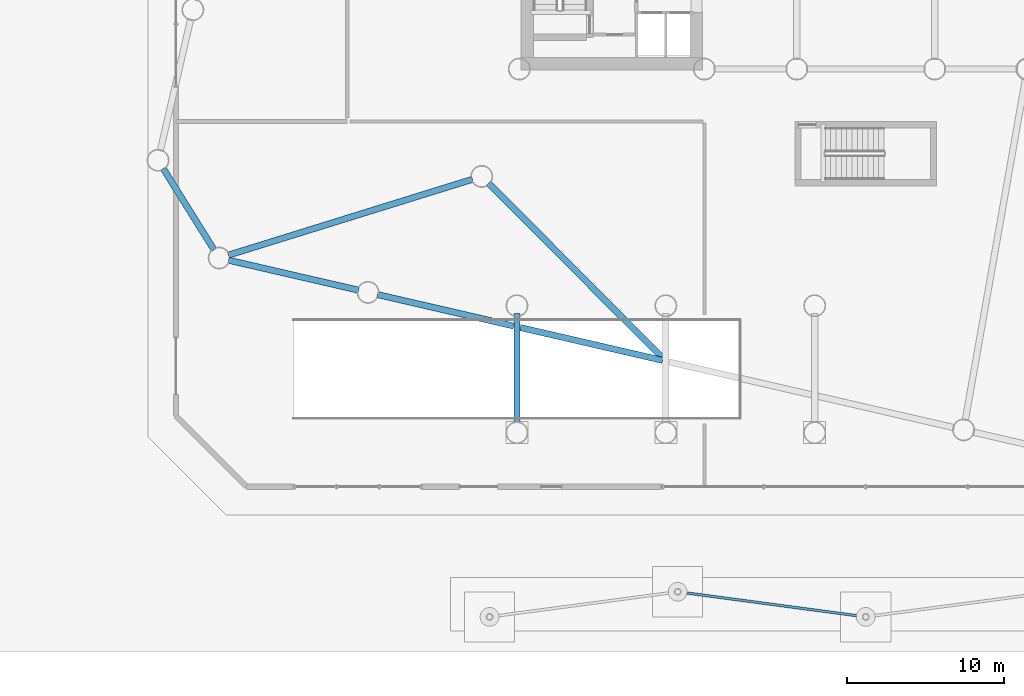
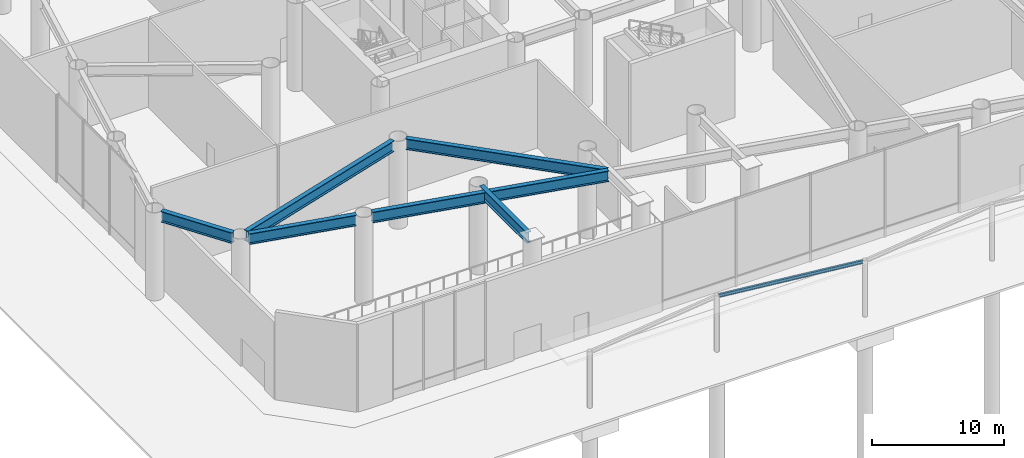
# One storey, part 8 of 28: 8 beams.
"""IFC4 building model written with IfcOpenShell, lengths in metres."""

from ifc_helpers import new_model, si_unit, direction, frame, origin, origin_2d, place, context, subcontext, project, spatial, i_section, extrude, material, material_profile, profile_set, type_object, element, save


model = new_model("IFC4")

# Units and contexts
model_context = context("Model", 3, precision=1e-05, world=origin(), true_north=direction((0.0, 1.0)))
body_context = subcontext(model_context, "Body", "Model", "MODEL_VIEW")
ifc_project = project(units=[si_unit("LENGTHUNIT", "METRE"), si_unit("AREAUNIT", "SQUARE_METRE"), si_unit("VOLUMEUNIT", "CUBIC_METRE"), si_unit("PLANEANGLEUNIT", "RADIAN"), si_unit("MASSUNIT", "GRAM", prefix="KILO")], contexts=[model_context])

# Site, building, storey
site_placement = place(None, origin())
site = spatial("IfcSite", under=ifc_project, at=site_placement, CompositionType="ELEMENT")
building_placement = place(site_placement, origin())
building = spatial("IfcBuilding", under=site, at=building_placement, Name="Tavrogorsk Clinical Tower", CompositionType="ELEMENT")
storey_placement = place(building_placement, origin())
storey = spatial("IfcBuildingStorey", under=building, at=storey_placement, Name="L00", CompositionType="ELEMENT", Elevation=0.0)

# Beams
ifc_material_1 = material(Name="Structural steel S355", Category="steel")
ifc_material_profile_1 = material_profile(ifc_material_1, i_section(OverallWidth=0.1650390625, OverallDepth=0.300048828125, WebThickness=0.008544921875, FlangeThickness=0.012939453125, at=origin_2d()), Name="B-300x165x8.5x13")
ifc_profile_set_1 = profile_set([ifc_material_profile_1], Name="Structural steel S355")
beam_type_1 = type_object("IfcBeamType", Name="CanopyBeam_B300", PredefinedType="BEAM", material=ifc_profile_set_1)
beam_1_placement = place(storey_placement, frame((-11.84130859375, -39.72119140625, 5.050048828125), z_axis=(0.991228624317, -0.132158292718, 0.0), x_axis=(0.132158292718, 0.991228624317, 0.0)))
element("IfcBeam", 1, at=beam_1_placement, inside=storey, type_object=beam_type_1, Name="Ambulance Canopy Beam 2", PredefinedType="BEAM", context=body_context, shape_type="SweptSolid", body=[
    extrude(i_section(OverallWidth=0.1650390625, OverallDepth=0.300048828125, WebThickness=0.008544921875, FlangeThickness=0.012939453125, at=origin_2d()), origin(), (0.0, 0.0, 1.0), 11.785888671875),
])
ifc_material_2 = material(Name="Structural steel S440", Category="steel")
ifc_material_profile_2 = material_profile(ifc_material_2, i_section(OverallWidth=0.39990234375, OverallDepth=1.0, WebThickness=0.028076171875, FlangeThickness=0.044921875, at=origin_2d()), Name="DK-1000x400x28x45")
ifc_profile_set_2 = profile_set([ifc_material_profile_2], Name="Structural steel S440")
beam_type_2 = type_object("IfcBeamType", Name="TransferGirder_DK1000", PredefinedType="USERDEFINED", material=ifc_profile_set_2)
beam_2_placement = place(storey_placement, frame((-22.25390625, -29.070068359375, 7.60009765625), z_axis=(0.0, 1.0, 0.0), x_axis=(-1.0, 0.0, 0.0)))
element("IfcBeam", 2, at=beam_2_placement, inside=storey, type_object=beam_type_2, Name="L00 Ramp Portal Transfer Girder S3", ObjectType="GIRDER", PredefinedType="USERDEFINED", context=body_context, shape_type="SweptSolid", body=[
    extrude(i_section(OverallWidth=0.39990234375, OverallDepth=1.0, WebThickness=0.028076171875, FlangeThickness=0.044921875, at=origin_2d()), origin(), (0.0, 0.0, 1.0), 7.14013671875),
])
beam_3_placement = place(storey_placement, frame((-40.647216796875, -18.54541015625, 7.60009765625), z_axis=(0.974368945516, -0.224955902375, 0.0), x_axis=(0.224955902375, 0.974368945516, 0.0)))
element("IfcBeam", 3, at=beam_3_placement, inside=storey, type_object=beam_type_2, Name="L00 Perimeter Stilt Ring Girder S1-S2", ObjectType="GIRDER", PredefinedType="USERDEFINED", context=body_context, shape_type="SweptSolid", body=[
    extrude(i_section(OverallWidth=0.39990234375, OverallDepth=1.0, WebThickness=0.028076171875, FlangeThickness=0.044921875, at=origin_2d()), origin(), (0.0, 0.0, 1.0), 8.508544921875),
])
beam_4_placement = place(storey_placement, frame((-31.1484375, -20.73828125, 7.60009765625), z_axis=(0.974367199032, -0.224963466923, 0.0), x_axis=(0.224963466923, 0.974367199032, 0.0)))
element("IfcBeam", 4, at=beam_4_placement, inside=storey, type_object=beam_type_2, Name="L00 Perimeter Stilt Ring Girder S2-S3", ObjectType="GIRDER", PredefinedType="USERDEFINED", context=body_context, shape_type="SweptSolid", body=[
    extrude(i_section(OverallWidth=0.39990234375, OverallDepth=1.0, WebThickness=0.028076171875, FlangeThickness=0.044921875, at=origin_2d()), origin(), (0.0, 0.0, 1.0), 8.91845703125),
])
beam_5_placement = place(storey_placement, frame((-22.04931640625, -22.839111328125, 7.60009765625), z_axis=(0.974372666845, -0.224939783286, 0.0), x_axis=(0.224939783286, 0.974372666845, 0.0)))
element("IfcBeam", 5, at=beam_5_placement, inside=storey, type_object=beam_type_2, Name="L00 Perimeter Stilt Ring Girder S3-S4", ObjectType="GIRDER", PredefinedType="USERDEFINED", context=body_context, shape_type="SweptSolid", body=[
    extrude(i_section(OverallWidth=0.39990234375, OverallDepth=1.0, WebThickness=0.028076171875, FlangeThickness=0.044921875, at=origin_2d()), origin(), (0.0, 0.0, 1.0), 9.32861328125),
])
beam_6_placement = place(storey_placement, frame((-44.81982421875, -12.6953125, 7.60009765625), z_axis=(0.529937918906, -0.848036439138, 0.0), x_axis=(0.848036439138, 0.529937918906, 0.0)))
element("IfcBeam", 6, at=beam_6_placement, inside=storey, type_object=beam_type_2, Name="L00 Perimeter Stilt Ring Girder W5-S1", ObjectType="GIRDER", PredefinedType="USERDEFINED", context=body_context, shape_type="SweptSolid", body=[
    extrude(i_section(OverallWidth=0.39990234375, OverallDepth=1.0, WebThickness=0.028076171875, FlangeThickness=0.044921875, at=origin_2d()), origin(), (0.0, 0.0, 1.0), 6.114013671875),
])
beam_7_placement = place(storey_placement, frame((-25.092041015625, -13.384033203125, 7.60009765625), z_axis=(-0.954947548329, -0.296774628196, 0.0), x_axis=(0.296774628196, -0.954947548329, 0.0)))
element("IfcBeam", 7, at=beam_7_placement, inside=storey, type_object=beam_type_2, Name="L00 Radial Podium Girder S1", ObjectType="GIRDER", PredefinedType="USERDEFINED", context=body_context, shape_type="SweptSolid", body=[
    extrude(i_section(OverallWidth=0.39990234375, OverallDepth=1.0, WebThickness=0.028076171875, FlangeThickness=0.044921875, at=origin_2d()), origin(), (0.0, 0.0, 1.0), 16.301513671875),
])
beam_8_placement = place(storey_placement, frame((-24.062255859375, -13.63916015625, 7.60009765625), z_axis=(0.705901119296, -0.708310390843, 0.0), x_axis=(0.708310390843, 0.705901119296, 0.0)))
element("IfcBeam", 8, at=beam_8_placement, inside=storey, type_object=beam_type_2, Name="L00 Radial Podium Girder S4", ObjectType="GIRDER", PredefinedType="USERDEFINED", context=body_context, shape_type="SweptSolid", body=[
    extrude(i_section(OverallWidth=0.39990234375, OverallDepth=1.0, WebThickness=0.028076171875, FlangeThickness=0.044921875, at=origin_2d()), origin(), (0.0, 0.0, 1.0), 15.80810546875),
])

save(model, "model.ifc")
